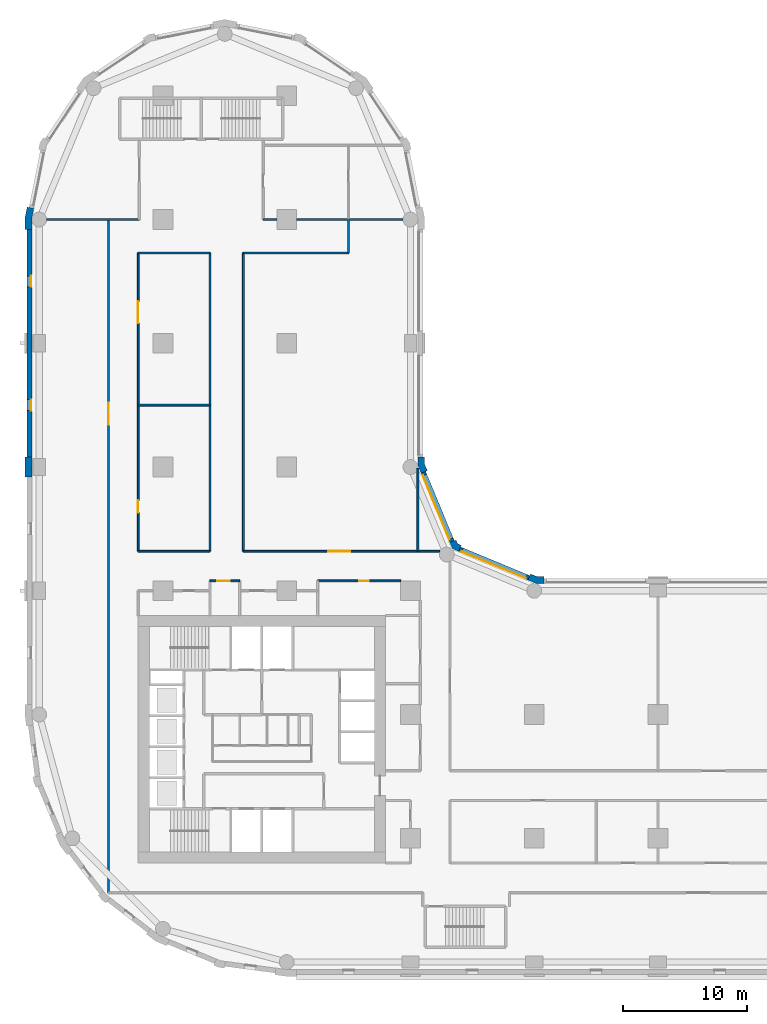
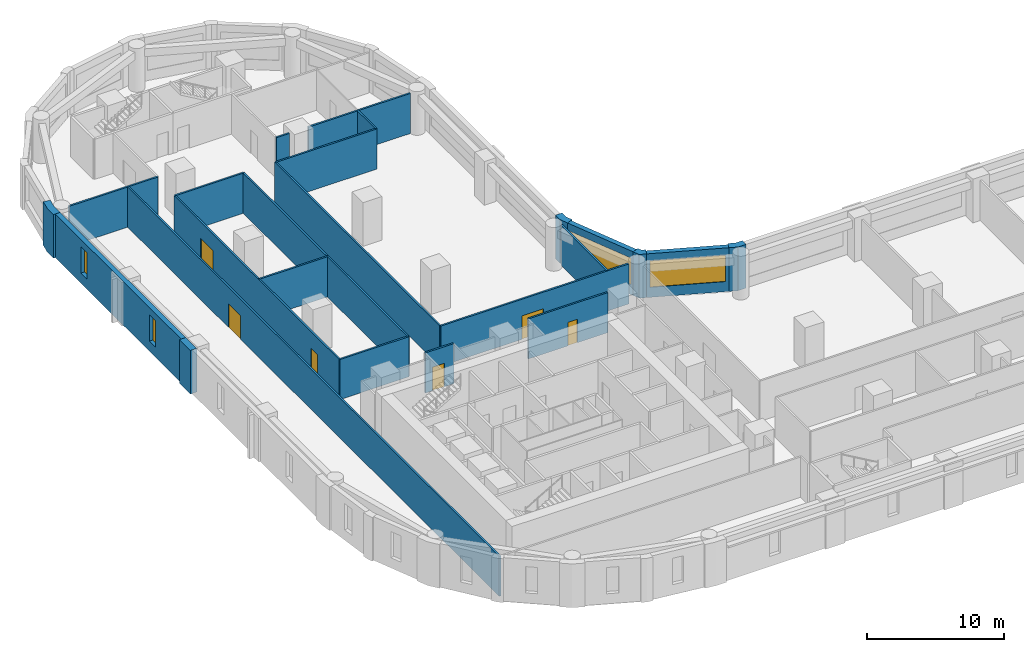
# One storey, part 5 of 10: 24 walls, 6 doors, 4 windows, 10 openings.
"""IFC4 building model written with IfcOpenShell, lengths in metres."""

import ifcopenshell
import ifcopenshell.guid

model = None  # the IFC model being written
_history = None  # IfcOwnerHistory: only IFC2X3 demands one
_inside = {}  # id of a spatial element -> (the spatial element, [elements in it])
_under = {}  # id of a project, library or spatial element -> (it, [spatial elements below it])
_declared = {}  # id of a project -> (the project, [libraries it declares])
_typed = {}  # id of a type object -> (the type object, [elements of that type])
_made_of = {}  # id of a material, layer set ... -> (it, [elements and type objects made of it])


def new_model(schema):
    """Start an empty IFC model of exactly this schema.

    Asked for "IFC4X3", IfcOpenShell would pick the latest addendum, in which some entities
    have other attributes; the version numbers below select the first issue.
    IFC2X3 requires an IfcOwnerHistory on every rooted entity: one is made here for all.
    """
    global model, _history
    if schema == "IFC4X3":
        model = ifcopenshell.file(schema_version=(4, 3, 0, 0))
    else:
        model = ifcopenshell.file(schema=schema)
    _inside.clear()
    _under.clear()
    _declared.clear()
    _typed.clear()
    _made_of.clear()
    _history = None
    if model.schema == "IFC2X3":
        org = make("IfcOrganization", Name="unknown")
        user = make(
            "IfcPersonAndOrganization",
            ThePerson=make("IfcPerson", FamilyName="unknown"),
            TheOrganization=org,
        )
        app = make(
            "IfcApplication",
            ApplicationDeveloper=org,
            Version="unknown",
            ApplicationFullName="unknown",
            ApplicationIdentifier="unknown",
        )
        _history = make(
            "IfcOwnerHistory",
            OwningUser=user,
            OwningApplication=app,
            ChangeAction="ADDED",
            CreationDate=0,
        )
    return model


def make(cls, **values):
    """One entity of the class cls with the attributes given. An attribute that is None is left unset."""
    return model.create_entity(
        cls, **{name: value for name, value in values.items() if value is not None}
    )


def rooted(cls, **values):
    """An entity with a GlobalId (a new one), such as an element, a storey or a relation."""
    return make(cls, GlobalId=ifcopenshell.guid.new(), OwnerHistory=_history, **values)


def si_unit(unit_type, name, prefix=None):
    """IfcSIUnit, for example si_unit("LENGTHUNIT", "METRE", prefix="MILLI")."""
    return make("IfcSIUnit", UnitType=unit_type, Prefix=prefix, Name=name)


def assignment(units):
    """IfcUnitAssignment: the units of a project."""
    return None if units is None else make("IfcUnitAssignment", Units=units)


def point(xyz):
    """IfcCartesianPoint."""
    return None if xyz is None else make("IfcCartesianPoint", Coordinates=xyz)


def direction(xyz):
    """IfcDirection."""
    return None if xyz is None else make("IfcDirection", DirectionRatios=xyz)


def frame(location, z_axis=None, x_axis=None):
    """IfcAxis2Placement3D, a coordinate frame: its origin and axes. An axis left out is left unset."""
    return make(
        "IfcAxis2Placement3D",
        Location=point(location),
        Axis=direction(z_axis),
        RefDirection=direction(x_axis),
    )


def frame_2d(location, x_axis=None):
    """IfcAxis2Placement2D, a coordinate frame in the plane: its origin and x axis."""
    return make(
        "IfcAxis2Placement2D", Location=point(location), RefDirection=direction(x_axis)
    )


def origin():
    """The frame at (0, 0, 0) with its axes left unset."""
    return frame((0.0, 0.0, 0.0))


def place(relative_to, where):
    """IfcLocalPlacement: puts the frame where relative to a parent placement (None: the world)."""
    return make(
        "IfcLocalPlacement", PlacementRelTo=relative_to, RelativePlacement=where
    )


def context(
    kind, dimensions, precision=None, world=None, true_north=None, identifier=None
):
    """IfcGeometricRepresentationContext, for example the 3D "Model" context."""
    return make(
        "IfcGeometricRepresentationContext",
        ContextIdentifier=identifier,
        ContextType=kind,
        CoordinateSpaceDimension=dimensions,
        Precision=precision,
        WorldCoordinateSystem=world,
        TrueNorth=true_north,
    )


def subcontext(parent, identifier, kind, view, scale=None):
    """IfcGeometricRepresentationSubContext, for example "Body" below "Model"."""
    return make(
        "IfcGeometricRepresentationSubContext",
        ContextIdentifier=identifier,
        ContextType=kind,
        ParentContext=parent,
        TargetScale=scale,
        TargetView=view,
    )


def project(units=None, contexts=None):
    """IfcProject with its units and contexts."""
    return rooted(
        "IfcProject",
        Name="project",
        RepresentationContexts=contexts,
        UnitsInContext=assignment(units),
    )


def spatial(cls, under=None, at=None, **own):
    """A site, building, storey or space (cls), placed at a placement, below another one or the project."""
    s = rooted(cls, ObjectPlacement=at, **own)
    if under is not None:
        _under.setdefault(under.id(), (under, []))[1].append(s)
    return s


def polyline(points):
    """IfcPolyline through the points."""
    return make("IfcPolyline", Points=[point(p) for p in points])


def profile(cls, at=None, kind="AREA", **sizes):
    """A parametric profile (cls). Its sizes go by their IFC names, for example OverallWidth=200.0."""
    return make(cls, ProfileType=kind, Position=at, **sizes)


def rectangle(**sizes):
    """IfcRectangleProfileDef."""
    return profile("IfcRectangleProfileDef", **sizes)


def outline(outer, holes=None, kind="AREA"):
    """IfcArbitraryClosedProfileDef: a profile drawn as a closed curve; with holes, ...WithVoids."""
    if holes is None:
        return make("IfcArbitraryClosedProfileDef", ProfileType=kind, OuterCurve=outer)
    return make(
        "IfcArbitraryProfileDefWithVoids",
        ProfileType=kind,
        OuterCurve=outer,
        InnerCurves=holes,
    )


def extrude(swept, where, along, depth):
    """IfcExtrudedAreaSolid: the profile swept, set in the frame where, extruded along a direction by depth."""
    return make(
        "IfcExtrudedAreaSolid",
        SweptArea=swept,
        Position=where,
        ExtrudedDirection=direction(along),
        Depth=depth,
    )


def shape(context_of_items, identifier, shape_type, items):
    """IfcShapeRepresentation: the items that make up one representation, for example the "Body"."""
    return make(
        "IfcShapeRepresentation",
        ContextOfItems=context_of_items,
        RepresentationIdentifier=identifier,
        RepresentationType=shape_type,
        Items=items,
    )


def material(Name=None, Category=None):
    """IfcMaterial."""
    return make("IfcMaterial", Name=Name, Category=Category)


def layer(
    of_material, thickness, ventilated=None, Name=None, Category=None, Priority=None
):
    """IfcMaterialLayer: one layer of a wall or slab, of a material (None: an air gap)."""
    return make(
        "IfcMaterialLayer",
        Material=of_material,
        LayerThickness=thickness,
        IsVentilated=ventilated,
        Name=Name,
        Category=Category,
        Priority=Priority,
    )


def layer_set(layers, Name=None):
    """IfcMaterialLayerSet."""
    return make("IfcMaterialLayerSet", MaterialLayers=layers, LayerSetName=Name)


def made_of(thing, what):
    """Note that an element or type object is made of a material, layer set ...; save() writes the relation."""
    if what is not None:
        _made_of.setdefault(what.id(), (what, []))[1].append(thing)
    return thing


def type_object(cls, material=None, **own):
    """A type object (cls), such as IfcWallType, which elements share."""
    return made_of(rooted(cls, **own), material)


def element(
    cls,
    number,
    at=None,
    inside=None,
    cuts=None,
    type_object=None,
    material=None,
    context=None,
    identifier="Body",
    shape_type=None,
    held_by="IfcProductDefinitionShape",
    body=None,
    shapes=None,
    **own,
):
    """One element of the class cls, such as IfcWall. Its Tag is "e" and its number.

    at: its placement. inside: the storey or other place that contains it. cuts: it is an
    opening in that element (IfcRelVoidsElement). A single representation is given by context,
    identifier, shape_type and body (its items); several are given by shapes. held_by: the class
    of the entity that holds the representations. save() writes the other relations.
    """
    e = rooted(cls, Tag="e%d" % number, ObjectPlacement=at, **own)
    if body is not None:
        shapes = [shape(context, identifier, shape_type, body)]
    if shapes is not None:
        e.Representation = make(held_by, Representations=shapes)
    if inside is not None:
        _inside.setdefault(inside.id(), (inside, []))[1].append(e)
    if cuts is not None:
        rooted(
            "IfcRelVoidsElement", RelatingBuildingElement=cuts, RelatedOpeningElement=e
        )
    if type_object is not None:
        _typed.setdefault(type_object.id(), (type_object, []))[1].append(e)
    return made_of(e, material)


def fill(opening, filler):
    """IfcRelFillsElement: the door or window that sits in an opening."""
    return rooted(
        "IfcRelFillsElement",
        RelatingOpeningElement=opening,
        RelatedBuildingElement=filler,
    )


def aggregate(whole, parts):
    """IfcRelAggregates: a whole, such as a stair, and the parts it consists of."""
    return rooted("IfcRelAggregates", RelatingObject=whole, RelatedObjects=parts)


def save(model, path):
    """Write the relations noted so far, then the file.

    IfcRelAggregates (storeys below a building ...), IfcRelContainedInSpatialStructure (elements
    in a storey), IfcRelDefinesByType, IfcRelAssociatesMaterial and IfcRelDeclares: one each for
    every whole, place, type object, material and project.
    """
    for whole, parts in _under.values():
        aggregate(whole, parts)
    for where, things in _inside.values():
        rooted(
            "IfcRelContainedInSpatialStructure",
            RelatedElements=things,
            RelatingStructure=where,
        )
    for kind, things in _typed.values():
        rooted("IfcRelDefinesByType", RelatedObjects=things, RelatingType=kind)
    for what, things in _made_of.values():
        rooted("IfcRelAssociatesMaterial", RelatedObjects=things, RelatingMaterial=what)
    for by, libraries in _declared.values():
        rooted("IfcRelDeclares", RelatingContext=by, RelatedDefinitions=libraries)
    model.write(path)


model = new_model("IFC4")

# Units and contexts
model_context = context("Model", 3, precision=1e-05, world=origin(), true_north=direction((0.0, 1.0)))
body_context = subcontext(model_context, "Body", "Model", "MODEL_VIEW")
ifc_project = project(units=[si_unit("LENGTHUNIT", "METRE"), si_unit("AREAUNIT", "SQUARE_METRE"), si_unit("VOLUMEUNIT", "CUBIC_METRE"), si_unit("PLANEANGLEUNIT", "RADIAN"), si_unit("MASSUNIT", "GRAM", prefix="KILO")], contexts=[model_context])

# Site, building, storey
site_placement = place(None, origin())
site = spatial("IfcSite", under=ifc_project, at=site_placement, CompositionType="ELEMENT")
building_placement = place(site_placement, origin())
building = spatial("IfcBuilding", under=site, at=building_placement, Name="Qaws Garden Tower", CompositionType="ELEMENT")
storey_placement = place(building_placement, frame((0.0, 0.0, 43.199951171875)))
storey = spatial("IfcBuildingStorey", under=building, at=storey_placement, Name="L10", CompositionType="ELEMENT", Elevation=43.199951171875)

# Wall, opening, window
ifc_material_1 = material(Name="Buff clay facing brick masonry", Category="masonry")
ifc_layer_1 = layer(ifc_material_1, 0.39990234375)
ifc_layer_set_1 = layer_set([ifc_layer_1], Name="Buff clay facing brick masonry")
wall_type_1 = type_object("IfcWallType", Name="Buff brick infill wall 400", PredefinedType="SOLIDWALL", material=ifc_layer_set_1)
wall_1_placement = place(storey_placement, frame((39.56689453125, 31.04541015625, 0.0), z_axis=(0.0, 0.0, 1.0), x_axis=(-0.923891000409, 0.382655745237, 0.0)))
wall_1 = element("IfcWall", 1, at=wall_1_placement, inside=storey, type_object=wall_type_1, Name="E-L10-infill-11", PredefinedType="SOLIDWALL", context=body_context, shape_type="SweptSolid", body=[
    extrude(rectangle(XDim=6.053466796875, YDim=0.39990234375, at=frame_2d((3.02685546875, 0.0))), origin(), (0.0, 0.0, 1.0), 3.900146484375),
])
opening_1_placement = place(wall_1_placement, frame((0.226806640625, 0.0, 0.89990234375)))
opening_1 = element("IfcOpeningElement", 2, at=opening_1_placement, cuts=wall_1, Name="Opening W04", PredefinedType="OPENING", context=body_context, shape_type="SweptSolid", body=[
    extrude(rectangle(XDim=5.60009765625, YDim=2.35009765625, at=frame_2d((2.800048828125, 1.175048828125))), frame((0.0, 0.2099609375, 0.0), z_axis=(0.0, -1.0, 0.0), x_axis=(1.0, 0.0, 0.0)), (0.0, 0.0, 1.0), 0.419921875),
])
ifc_material_2 = material(Name="Aluminium framed window, clear glazing", Category="aluminium")
window_type_1 = type_object("IfcWindowType", Name="Ribbon window 5600 x 2350", PartitioningType="DOUBLE_PANEL_VERTICAL", PredefinedType="WINDOW", material=ifc_material_2)
window_1_placement = place(opening_1_placement, origin())
window_1 = element("IfcWindow", 3, at=window_1_placement, inside=storey, type_object=window_type_1, Name="E-L10-window-11-0", OverallHeight=2.35009765625, OverallWidth=5.60009765625, PartitioningType="SINGLE_PANEL", PredefinedType="WINDOW", context=body_context, shape_type="SweptSolid", body=[
    extrude(rectangle(XDim=5.60009765625, YDim=2.35009765625, at=frame_2d((2.800048828125, 1.175048828125))), frame((0.0, 0.159912109375, 0.0), z_axis=(0.0, -1.0, 0.0), x_axis=(1.0, 0.0, 0.0)), (0.0, 0.0, 1.0), 0.06005859375),
])
fill(opening_1, window_1)

wall_2_placement = place(storey_placement, frame((33.36181640625, 33.97412109375, 0.0), z_axis=(0.0, 0.0, 1.0), x_axis=(-0.382655745237, 0.923891000409, 0.0)))
wall_2 = element("IfcWall", 4, at=wall_2_placement, inside=storey, type_object=wall_type_1, Name="E-L10-infill-12", PredefinedType="SOLIDWALL", context=body_context, shape_type="SweptSolid", body=[
    extrude(rectangle(XDim=6.053466796875, YDim=0.39990234375, at=frame_2d((3.02685546875, 0.0))), origin(), (0.0, 0.0, 1.0), 3.900146484375),
])
opening_2_placement = place(wall_2_placement, frame((0.226806640625, 0.0, 0.89990234375)))
opening_2 = element("IfcOpeningElement", 5, at=opening_2_placement, cuts=wall_2, Name="Opening W04", PredefinedType="OPENING", context=body_context, shape_type="SweptSolid", body=[
    extrude(rectangle(XDim=5.60009765625, YDim=2.35009765625, at=frame_2d((2.800048828125, 1.175048828125))), frame((0.0, 0.2099609375, 0.0), z_axis=(0.0, -1.0, 0.0), x_axis=(1.0, 0.0, 0.0)), (0.0, 0.0, 1.0), 0.419921875),
])
window_2_placement = place(opening_2_placement, origin())
window_2 = element("IfcWindow", 6, at=window_2_placement, inside=storey, type_object=window_type_1, Name="E-L10-window-12-0", OverallHeight=2.35009765625, OverallWidth=5.60009765625, PartitioningType="SINGLE_PANEL", PredefinedType="WINDOW", context=body_context, shape_type="SweptSolid", body=[
    extrude(rectangle(XDim=5.60009765625, YDim=2.35009765625, at=frame_2d((2.800048828125, 1.175048828125))), frame((0.0, 0.159912109375, 0.0), z_axis=(0.0, -1.0, 0.0), x_axis=(1.0, 0.0, 0.0)), (0.0, 0.0, 1.0), 0.06005859375),
])
fill(opening_2, window_2)

# Wall, openings, windows
wall_3_placement = place(storey_placement, frame((-0.800048828125, 59.199951171875, 0.0), z_axis=(0.0, 0.0, 1.0), x_axis=(0.0, -1.0, 0.0)))
wall_3 = element("IfcWall", 7, at=wall_3_placement, inside=storey, type_object=wall_type_1, Name="E-L10-infill-23", PredefinedType="SOLIDWALL", context=body_context, shape_type="SweptSolid", body=[
    extrude(rectangle(XDim=18.39990234375, YDim=0.39990234375, at=frame_2d((9.199951171875, 0.0))), origin(), (0.0, 0.0, 1.0), 3.900146484375),
])
opening_3_placement = place(wall_3_placement, frame((3.75, 0.0, 0.89990234375)))
opening_3 = element("IfcOpeningElement", 8, at=opening_3_placement, cuts=wall_3, Name="Opening W09", PredefinedType="OPENING", context=body_context, shape_type="SweptSolid", body=[
    extrude(rectangle(XDim=0.89990234375, YDim=2.35009765625, at=frame_2d((0.449951171875, 1.175048828125))), frame((0.0, 0.2099609375, 0.0), z_axis=(0.0, -1.0, 0.0), x_axis=(1.0, 0.0, 0.0)), (0.0, 0.0, 1.0), 0.419921875),
])
opening_4_placement = place(wall_3_placement, frame((13.75, 0.0, 0.89990234375)))
opening_4 = element("IfcOpeningElement", 9, at=opening_4_placement, cuts=wall_3, Name="Opening W09", PredefinedType="OPENING", context=body_context, shape_type="SweptSolid", body=[
    extrude(rectangle(XDim=0.89990234375, YDim=2.35009765625, at=frame_2d((0.449951171875, 1.175048828125))), frame((0.0, 0.2099609375, 0.0), z_axis=(0.0, -1.0, 0.0), x_axis=(1.0, 0.0, 0.0)), (0.0, 0.0, 1.0), 0.419921875),
])
ifc_material_3 = material(Name="Aluminium framed window, clear glazing", Category="aluminium")
window_type_2 = type_object("IfcWindowType", Name="Slit window 900 x 2350", PartitioningType="SINGLE_PANEL", PredefinedType="WINDOW", material=ifc_material_3)
window_3_placement = place(opening_3_placement, origin())
window_3 = element("IfcWindow", 10, at=window_3_placement, inside=storey, type_object=window_type_2, Name="E-L10-window-23-0", OverallHeight=2.35009765625, OverallWidth=0.89990234375, PartitioningType="SINGLE_PANEL", PredefinedType="WINDOW", context=body_context, shape_type="SweptSolid", body=[
    extrude(rectangle(XDim=0.89990234375, YDim=2.35009765625, at=frame_2d((0.449951171875, 1.175048828125))), frame((0.0, 0.159912109375, 0.0), z_axis=(0.0, -1.0, 0.0), x_axis=(1.0, 0.0, 0.0)), (0.0, 0.0, 1.0), 0.06005859375),
])
fill(opening_3, window_3)
window_4_placement = place(opening_4_placement, origin())
window_4 = element("IfcWindow", 11, at=window_4_placement, inside=storey, type_object=window_type_2, Name="E-L10-window-24-0", OverallHeight=2.35009765625, OverallWidth=0.89990234375, PartitioningType="SINGLE_PANEL", PredefinedType="WINDOW", context=body_context, shape_type="SweptSolid", body=[
    extrude(rectangle(XDim=0.89990234375, YDim=2.35009765625, at=frame_2d((0.449951171875, 1.175048828125))), frame((0.0, 0.159912109375, 0.0), z_axis=(0.0, -1.0, 0.0), x_axis=(1.0, 0.0, 0.0)), (0.0, 0.0, 1.0), 0.06005859375),
])
fill(opening_4, window_4)

# Walls
ifc_material_4 = material(Name="Buff clay facing brick masonry", Category="masonry")
ifc_layer_2 = layer(ifc_material_4, 0.550048828125)
ifc_layer_set_2 = layer_set([ifc_layer_2], Name="Buff clay facing brick masonry")
wall_type_2 = type_object("IfcWallType", Name="Buff brick pier 550 x 1600", PredefinedType="SOLIDWALL", material=ifc_layer_set_2)
placement = place(storey_placement, origin())
element("IfcWall", 12, at=placement, inside=storey, type_object=wall_type_2, Name="E-L10-pier-11", PredefinedType="SOLIDWALL", context=body_context, shape_type="SweptSolid", body=[
    extrude(outline(polyline([(40.800048828125, 31.0), (40.800048828125, 31.14990234375), (40.228759765625, 31.14990234375), (39.700927734375, 31.36865234375), (39.6435546875, 31.22998046875), (39.490478515625, 30.860595703125), (40.119384765625, 30.60009765625), (40.800048828125, 30.60009765625), (40.800048828125, 31.0)])), origin(), (0.0, 0.0, 1.0), 3.900146484375),
])
element("IfcWall", 13, at=placement, inside=storey, type_object=wall_type_2, Name="E-L10-pier-12", PredefinedType="SOLIDWALL", context=body_context, shape_type="SweptSolid", body=[
    extrude(outline(polyline([(34.05078125, 33.546630859375), (34.108154296875, 33.685302734375), (33.80908203125, 33.80908203125), (33.685302734375, 34.108154296875), (33.546630859375, 34.05078125), (33.177001953125, 33.897705078125), (33.38818359375, 33.38818359375), (33.897705078125, 33.177001953125), (34.05078125, 33.546630859375)])), origin(), (0.0, 0.0, 1.0), 3.900146484375),
])
element("IfcWall", 14, at=placement, inside=storey, type_object=wall_type_2, Name="E-L10-pier-13", PredefinedType="SOLIDWALL", context=body_context, shape_type="SweptSolid", body=[
    extrude(outline(polyline([(31.22998046875, 39.6435546875), (31.36865234375, 39.700927734375), (31.14990234375, 40.228759765625), (31.14990234375, 40.800048828125), (31.0, 40.800048828125), (30.60009765625, 40.800048828125), (30.60009765625, 40.119384765625), (30.860595703125, 39.490478515625), (31.22998046875, 39.6435546875)])), origin(), (0.0, 0.0, 1.0), 3.900146484375),
])
element("IfcWall", 15, at=placement, inside=storey, type_object=wall_type_2, Name="E-L10-pier-23", PredefinedType="SOLIDWALL", context=body_context, shape_type="SweptSolid", body=[
    extrude(outline(polyline([(-0.82470703125, 60.979736328125), (-0.971923828125, 61.009033203125), (-1.14990234375, 60.11328125), (-1.14990234375, 59.199951171875), (-1.0, 59.199951171875), (-0.60009765625, 59.199951171875), (-0.60009765625, 60.05908203125), (-0.432373046875, 60.901611328125), (-0.82470703125, 60.979736328125)])), origin(), (0.0, 0.0, 1.0), 3.900146484375),
])
element("IfcWall", 16, at=placement, inside=storey, type_object=wall_type_2, Name="E-L10-pier-25", PredefinedType="SOLIDWALL", context=body_context, shape_type="SweptSolid", body=[
    extrude(outline(polyline([(-1.0, 40.800048828125), (-1.14990234375, 40.800048828125), (-1.14990234375, 40.0), (-1.14990234375, 39.199951171875), (-1.0, 39.199951171875), (-0.60009765625, 39.199951171875), (-0.60009765625, 40.0), (-0.60009765625, 40.800048828125), (-1.0, 40.800048828125)])), origin(), (0.0, 0.0, 1.0), 3.900146484375),
])

# Wall, opening, door
ifc_material_5 = material(Name="Gypsum board partition")
ifc_layer_3 = layer(ifc_material_5, 0.14990234375)
ifc_layer_set_3 = layer_set([ifc_layer_3], Name="Gypsum board partition")
wall_type_3 = type_object("IfcWallType", Name="PARTITION 150 EI 60", PredefinedType="PARTITIONING", material=ifc_layer_set_3)
wall_9_placement = place(storey_placement, frame((5.60009765625, 5.60009765625, 0.0), z_axis=(0.0, 0.0, 1.0), x_axis=(0.0, 1.0, 0.0)))
wall_9 = element("IfcWall", 17, at=wall_9_placement, inside=storey, type_object=wall_type_3, Name="O-L10-wall-002", PredefinedType="PARTITIONING", context=body_context, shape_type="SweptSolid", body=[
    extrude(rectangle(XDim=54.39990234375, YDim=0.14990234375, at=frame_2d((27.199951171875, 0.0))), origin(), (0.0, 0.0, 1.0), 3.580078125),
])
opening_5_placement = place(wall_9_placement, frame((37.800048828125, 0.0, 0.0)))
opening_5 = element("IfcOpeningElement", 18, at=opening_5_placement, cuts=wall_9, Name="Opening A301", PredefinedType="OPENING", context=body_context, shape_type="SweptSolid", body=[
    extrude(rectangle(XDim=1.800048828125, YDim=2.10009765625, at=frame_2d((0.89990234375, 1.050048828125))), frame((0.0, 0.0849609375, 0.0), z_axis=(0.0, -1.0, 0.0), x_axis=(1.0, 0.0, 0.0)), (0.0, 0.0, 1.0), 0.169921875),
])
ifc_material_6 = material(Name="Timber door leaf", Category="wood")
door_type_1 = type_object("IfcDoorType", Name="DOUBLE DOOR 1800 X 2100", OperationType="DOUBLE_DOOR_SINGLE_SWING", PredefinedType="DOOR", material=ifc_material_6)
door_1_placement = place(opening_5_placement, origin())
door_1 = element("IfcDoor", 19, at=door_1_placement, inside=storey, type_object=door_type_1, Name="O-L10-door-001", OperationType="DOUBLE_DOOR_SINGLE_SWING", OverallHeight=2.10009765625, OverallWidth=1.800048828125, PredefinedType="DOOR", context=body_context, shape_type="SweptSolid", body=[
    extrude(rectangle(XDim=1.800048828125, YDim=2.10009765625, at=frame_2d((0.89990234375, 1.050048828125))), frame((0.0, 0.02490234375, 0.0), z_axis=(0.0, -1.0, 0.0), x_axis=(1.0, 0.0, 0.0)), (0.0, 0.0, 1.0), 0.050048828125),
])
fill(opening_5, door_1)

# Wall, openings, doors
wall_10_placement = place(storey_placement, frame((8.0, 33.199951171875, 0.0), z_axis=(0.0, 0.0, 1.0), x_axis=(0.0, 1.0, 0.0)))
wall_10 = element("IfcWall", 20, at=wall_10_placement, inside=storey, type_object=wall_type_3, Name="O-L10-wall-004", PredefinedType="PARTITIONING", context=body_context, shape_type="SweptSolid", body=[
    extrude(rectangle(XDim=24.10009765625, YDim=0.14990234375, at=frame_2d((12.050048828125, 0.0))), origin(), (0.0, 0.0, 1.0), 3.580078125),
])
opening_6_placement = place(wall_10_placement, frame((3.10009765625, 0.0, 0.0)))
opening_6 = element("IfcOpeningElement", 21, at=opening_6_placement, cuts=wall_10, Name="Opening A306", PredefinedType="OPENING", context=body_context, shape_type="SweptSolid", body=[
    extrude(rectangle(XDim=1.0, YDim=2.10009765625, at=frame_2d((0.5, 1.050048828125))), frame((0.0, 0.0849609375, 0.0), z_axis=(0.0, -1.0, 0.0), x_axis=(1.0, 0.0, 0.0)), (0.0, 0.0, 1.0), 0.169921875),
])
opening_7_placement = place(wall_10_placement, frame((18.39990234375, 0.0, 0.0)))
opening_7 = element("IfcOpeningElement", 22, at=opening_7_placement, cuts=wall_10, Name="Opening A307", PredefinedType="OPENING", context=body_context, shape_type="SweptSolid", body=[
    extrude(rectangle(XDim=1.800048828125, YDim=2.10009765625, at=frame_2d((0.89990234375, 1.050048828125))), frame((0.0, 0.0849609375, 0.0), z_axis=(0.0, -1.0, 0.0), x_axis=(1.0, 0.0, 0.0)), (0.0, 0.0, 1.0), 0.169921875),
])
door_2_placement = place(opening_7_placement, frame((1.800048828125, 0.0, 0.0), z_axis=(0.0, 0.0, 1.0), x_axis=(-1.0, 0.0, 0.0)))
door_2 = element("IfcDoor", 23, at=door_2_placement, inside=storey, type_object=door_type_1, Name="O-L10-door-007", OperationType="DOUBLE_DOOR_SINGLE_SWING", OverallHeight=2.10009765625, OverallWidth=1.800048828125, PredefinedType="DOOR", context=body_context, shape_type="SweptSolid", body=[
    extrude(rectangle(XDim=1.800048828125, YDim=2.10009765625, at=frame_2d((0.89990234375, 1.050048828125))), frame((0.0, 0.02490234375, 0.0), z_axis=(0.0, -1.0, 0.0), x_axis=(1.0, 0.0, 0.0)), (0.0, 0.0, 1.0), 0.050048828125),
])
fill(opening_7, door_2)
ifc_material_7 = material(Name="Timber door leaf", Category="wood")
door_type_2 = type_object("IfcDoorType", Name="TENANCY ENTRANCE DOOR 1000 X 2100", OperationType="SINGLE_SWING_LEFT", PredefinedType="DOOR", material=ifc_material_7)
door_3_placement = place(opening_6_placement, frame((1.0, 0.0, 0.0), z_axis=(0.0, 0.0, 1.0), x_axis=(-1.0, 0.0, 0.0)))
door_3 = element("IfcDoor", 24, at=door_3_placement, inside=storey, type_object=door_type_2, Name="O-L10-door-006", OperationType="SINGLE_SWING_RIGHT", OverallHeight=2.10009765625, OverallWidth=1.0, PredefinedType="DOOR", context=body_context, shape_type="SweptSolid", body=[
    extrude(rectangle(XDim=1.0, YDim=2.10009765625, at=frame_2d((0.5, 1.050048828125))), frame((0.0, 0.02490234375, 0.0), z_axis=(0.0, -1.0, 0.0), x_axis=(1.0, 0.0, 0.0)), (0.0, 0.0, 1.0), 0.050048828125),
])
fill(opening_6, door_3)

# Walls
for number, where, z_axis, x_axis, name in (
    (25, (13.800048828125, 33.199951171875, 0.0), (0.0, 0.0, 1.0), (0.0, 1.0, 0.0), "O-L10-wall-007"),
    (26, (16.5, 33.199951171875, 0.0), (0.0, 0.0, 1.0), (0.0, 1.0, 0.0), "O-L10-wall-009"),
):
    element("IfcWall", number, at=place(storey_placement, frame(where, z_axis=z_axis, x_axis=x_axis)), inside=storey, type_object=wall_type_3, Name=name, PredefinedType="PARTITIONING", context=body_context, shape_type="SweptSolid", body=[
        extrude(rectangle(XDim=24.10009765625, YDim=0.14990234375, at=frame_2d((12.050048828125, 0.0))), origin(), (0.0, 0.0, 1.0), 3.580078125),
    ])
wall_11_placement = place(storey_placement, frame((25.0, 57.300048828125, 0.0), z_axis=(0.0, 0.0, 1.0), x_axis=(0.0, 1.0, 0.0)))
element("IfcWall", 27, at=wall_11_placement, inside=storey, type_object=wall_type_3, Name="O-L10-wall-012", PredefinedType="PARTITIONING", context=body_context, shape_type="SweptSolid", body=[
    extrude(rectangle(XDim=2.699951171875, YDim=0.14990234375, at=frame_2d((1.35009765625, 0.0))), origin(), (0.0, 0.0, 1.0), 3.580078125),
])
wall_12_placement = place(storey_placement, frame((30.60009765625, 33.199951171875, 0.0), z_axis=(0.0, 0.0, 1.0), x_axis=(0.0, 1.0, 0.0)))
element("IfcWall", 28, at=wall_12_placement, inside=storey, type_object=wall_type_3, Name="O-L10-wall-015", PredefinedType="PARTITIONING", context=body_context, shape_type="SweptSolid", body=[
    extrude(rectangle(XDim=6.698974609375, YDim=0.14990234375, at=frame_2d((3.349609375, 0.0))), origin(), (0.0, 0.0, 1.0), 3.580078125),
])

# Wall, opening, door
wall_13_placement = place(storey_placement, frame((13.800048828125, 30.800048828125, 0.0), z_axis=(0.0, 0.0, 1.0), x_axis=(1.0, 0.0, 0.0)))
wall_13 = element("IfcWall", 29, at=wall_13_placement, inside=storey, type_object=wall_type_3, Name="O-L10-wall-045", PredefinedType="PARTITIONING", context=body_context, shape_type="SweptSolid", body=[
    extrude(rectangle(XDim=2.39990234375, YDim=0.14990234375, at=frame_2d((1.199951171875, 0.0))), origin(), (0.0, 0.0, 1.0), 3.580078125),
])
opening_8_placement = place(wall_13_placement, frame((0.60009765625, 0.0, 0.0)))
opening_8 = element("IfcOpeningElement", 30, at=opening_8_placement, cuts=wall_13, Name="Opening A311", PredefinedType="OPENING", context=body_context, shape_type="SweptSolid", body=[
    extrude(rectangle(XDim=1.0, YDim=2.10009765625, at=frame_2d((0.5, 1.050048828125))), frame((0.0, 0.0849609375, 0.0), z_axis=(0.0, -1.0, 0.0), x_axis=(1.0, 0.0, 0.0)), (0.0, 0.0, 1.0), 0.169921875),
])
door_4_placement = place(opening_8_placement, frame((1.0, 0.0, 0.0), z_axis=(0.0, 0.0, 1.0), x_axis=(-1.0, 0.0, 0.0)))
door_4 = element("IfcDoor", 31, at=door_4_placement, inside=storey, type_object=door_type_2, Name="O-L10-door-011", OperationType="SINGLE_SWING_RIGHT", OverallHeight=2.10009765625, OverallWidth=1.0, PredefinedType="DOOR", context=body_context, shape_type="SweptSolid", body=[
    extrude(rectangle(XDim=1.0, YDim=2.10009765625, at=frame_2d((0.5, 1.050048828125))), frame((0.0, 0.02490234375, 0.0), z_axis=(0.0, -1.0, 0.0), x_axis=(1.0, 0.0, 0.0)), (0.0, 0.0, 1.0), 0.050048828125),
])
fill(opening_8, door_4)

wall_14_placement = place(storey_placement, frame((22.5, 30.800048828125, 0.0), z_axis=(0.0, 0.0, 1.0), x_axis=(1.0, 0.0, 0.0)))
wall_14 = element("IfcWall", 32, at=wall_14_placement, inside=storey, type_object=wall_type_3, Name="O-L10-wall-046", PredefinedType="PARTITIONING", context=body_context, shape_type="SweptSolid", body=[
    extrude(rectangle(XDim=6.699951171875, YDim=0.14990234375, at=frame_2d((3.35009765625, 0.0))), origin(), (0.0, 0.0, 1.0), 3.580078125),
])
opening_9_placement = place(wall_14_placement, frame((3.35009765625, 0.0, 0.0)))
opening_9 = element("IfcOpeningElement", 33, at=opening_9_placement, cuts=wall_14, Name="Opening A305", PredefinedType="OPENING", context=body_context, shape_type="SweptSolid", body=[
    extrude(rectangle(XDim=0.800048828125, YDim=2.10009765625, at=frame_2d((0.39990234375, 1.050048828125))), frame((0.0, 0.0849609375, 0.0), z_axis=(0.0, -1.0, 0.0), x_axis=(1.0, 0.0, 0.0)), (0.0, 0.0, 1.0), 0.169921875),
])
ifc_material_8 = material(Name="Timber door leaf", Category="wood")
door_type_3 = type_object("IfcDoorType", Name="STORE DOOR 800 X 2100", OperationType="SINGLE_SWING_LEFT", PredefinedType="DOOR", material=ifc_material_8)
door_5_placement = place(opening_9_placement, frame((0.800048828125, 0.0, 0.0), z_axis=(0.0, 0.0, 1.0), x_axis=(-1.0, 0.0, 0.0)))
door_5 = element("IfcDoor", 34, at=door_5_placement, inside=storey, type_object=door_type_3, Name="O-L10-door-005", OperationType="SINGLE_SWING_LEFT", OverallHeight=2.10009765625, OverallWidth=0.800048828125, PredefinedType="DOOR", context=body_context, shape_type="SweptSolid", body=[
    extrude(rectangle(XDim=0.800048828125, YDim=2.10009765625, at=frame_2d((0.39990234375, 1.050048828125))), frame((0.0, 0.02490234375, 0.0), z_axis=(0.0, -1.0, 0.0), x_axis=(1.0, 0.0, 0.0)), (0.0, 0.0, 1.0), 0.050048828125),
])
fill(opening_9, door_5)

# Wall
wall_15_placement = place(storey_placement, frame((8.0, 33.199951171875, 0.0), z_axis=(0.0, 0.0, 1.0), x_axis=(1.0, 0.0, 0.0)))
element("IfcWall", 35, at=wall_15_placement, inside=storey, type_object=wall_type_3, Name="O-L10-wall-047", PredefinedType="PARTITIONING", context=body_context, shape_type="SweptSolid", body=[
    extrude(rectangle(XDim=5.800048828125, YDim=0.14990234375, at=frame_2d((2.89990234375, 0.0))), origin(), (0.0, 0.0, 1.0), 3.580078125),
])

# Wall, opening, door
wall_16_placement = place(storey_placement, frame((16.5, 33.199951171875, 0.0), z_axis=(0.0, 0.0, 1.0), x_axis=(1.0, 0.0, 0.0)))
wall_16 = element("IfcWall", 36, at=wall_16_placement, inside=storey, type_object=wall_type_3, Name="O-L10-wall-048", PredefinedType="PARTITIONING", context=body_context, shape_type="SweptSolid", body=[
    extrude(rectangle(XDim=15.862060546875, YDim=0.14990234375, at=frame_2d((7.93115234375, 0.0))), origin(), (0.0, 0.0, 1.0), 3.580078125),
])
opening_10_placement = place(wall_16_placement, frame((6.85009765625, 0.0, 0.0)))
opening_10 = element("IfcOpeningElement", 37, at=opening_10_placement, cuts=wall_16, Name="Opening A308", PredefinedType="OPENING", context=body_context, shape_type="SweptSolid", body=[
    extrude(rectangle(XDim=1.800048828125, YDim=2.10009765625, at=frame_2d((0.89990234375, 1.050048828125))), frame((0.0, 0.0849609375, 0.0), z_axis=(0.0, -1.0, 0.0), x_axis=(1.0, 0.0, 0.0)), (0.0, 0.0, 1.0), 0.169921875),
])
door_6_placement = place(opening_10_placement, origin())
door_6 = element("IfcDoor", 38, at=door_6_placement, inside=storey, type_object=door_type_1, Name="O-L10-door-008", OperationType="DOUBLE_DOOR_SINGLE_SWING", OverallHeight=2.10009765625, OverallWidth=1.800048828125, PredefinedType="DOOR", context=body_context, shape_type="SweptSolid", body=[
    extrude(rectangle(XDim=1.800048828125, YDim=2.10009765625, at=frame_2d((0.89990234375, 1.050048828125))), frame((0.0, 0.02490234375, 0.0), z_axis=(0.0, -1.0, 0.0), x_axis=(1.0, 0.0, 0.0)), (0.0, 0.0, 1.0), 0.050048828125),
])
fill(opening_10, door_6)

# Walls
for number, where, z_axis, x_axis, name in (
    (39, (8.0, 45.0, 0.0), (0.0, 0.0, 1.0), (1.0, 0.0, 0.0), "O-L10-wall-049"),
    (40, (8.0, 57.300048828125, 0.0), (0.0, 0.0, 1.0), (1.0, 0.0, 0.0), "O-L10-wall-050"),
):
    element("IfcWall", number, at=place(storey_placement, frame(where, z_axis=z_axis, x_axis=x_axis)), inside=storey, type_object=wall_type_3, Name=name, PredefinedType="PARTITIONING", context=body_context, shape_type="SweptSolid", body=[
        extrude(rectangle(XDim=5.800048828125, YDim=0.14990234375, at=frame_2d((2.89990234375, 0.0))), origin(), (0.0, 0.0, 1.0), 3.580078125),
    ])
wall_17_placement = place(storey_placement, frame((16.5, 57.300048828125, 0.0), z_axis=(0.0, 0.0, 1.0), x_axis=(1.0, 0.0, 0.0)))
element("IfcWall", 41, at=wall_17_placement, inside=storey, type_object=wall_type_3, Name="O-L10-wall-051", PredefinedType="PARTITIONING", context=body_context, shape_type="SweptSolid", body=[
    extrude(rectangle(XDim=8.5, YDim=0.14990234375, at=frame_2d((4.25, 0.0))), origin(), (0.0, 0.0, 1.0), 3.580078125),
])
wall_18_placement = place(storey_placement, frame((0.60009765625, 60.0, 0.0), z_axis=(0.0, 0.0, 1.0), x_axis=(1.0, 0.0, 0.0)))
element("IfcWall", 42, at=wall_18_placement, inside=storey, type_object=wall_type_3, Name="O-L10-wall-052", PredefinedType="PARTITIONING", context=body_context, shape_type="SweptSolid", body=[
    extrude(rectangle(XDim=7.5, YDim=0.14990234375, at=frame_2d((3.75, 0.0))), origin(), (0.0, 0.0, 1.0), 3.580078125),
])
wall_19_placement = place(storey_placement, frame((18.10009765625, 60.0, 0.0), z_axis=(0.0, 0.0, 1.0), x_axis=(1.0, 0.0, 0.0)))
element("IfcWall", 43, at=wall_19_placement, inside=storey, type_object=wall_type_3, Name="O-L10-wall-053", PredefinedType="PARTITIONING", context=body_context, shape_type="SweptSolid", body=[
    extrude(rectangle(XDim=1.099853515625, YDim=0.14990234375, at=frame_2d((0.5498046875, 0.0))), origin(), (0.0, 0.0, 1.0), 3.580078125),
])
wall_20_placement = place(storey_placement, frame((20.800048828125, 60.0, 0.0), z_axis=(0.0, 0.0, 1.0), x_axis=(1.0, 0.0, 0.0)))
element("IfcWall", 44, at=wall_20_placement, inside=storey, type_object=wall_type_3, Name="O-L10-wall-054", PredefinedType="PARTITIONING", context=body_context, shape_type="SweptSolid", body=[
    extrude(rectangle(XDim=8.599853515625, YDim=0.14990234375, at=frame_2d((4.2998046875, 0.0))), origin(), (0.0, 0.0, 1.0), 3.580078125),
])

save(model, "model.ifc")
